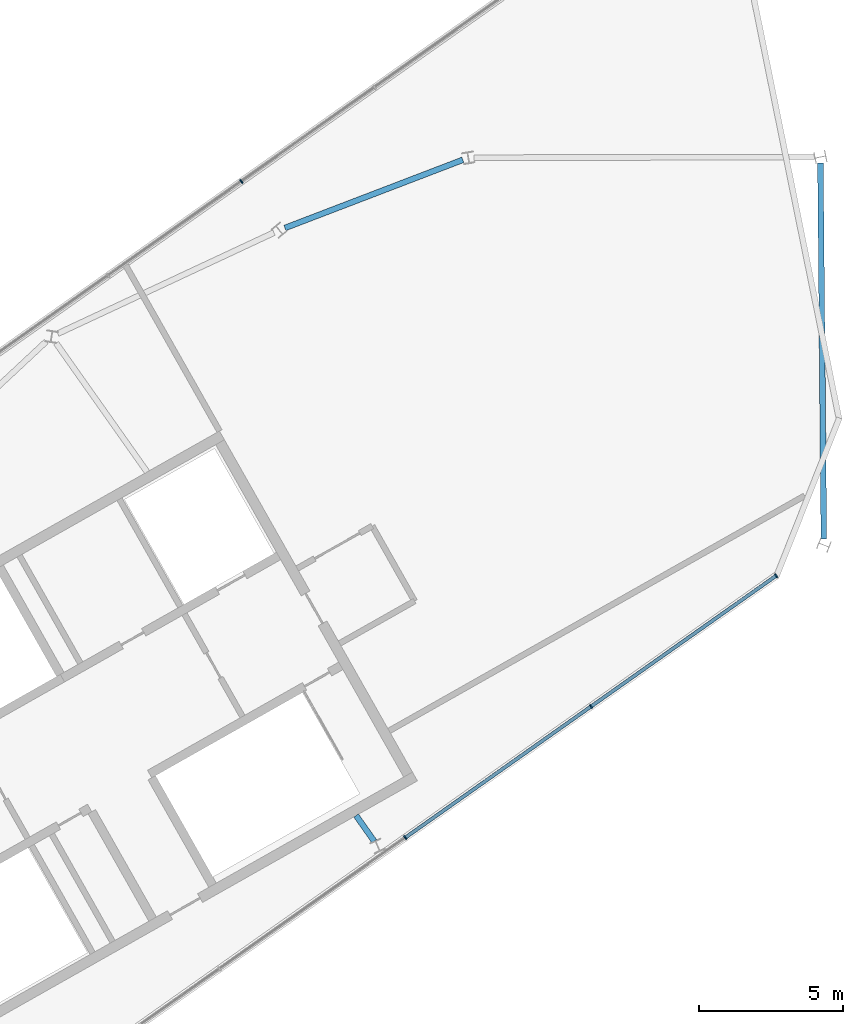
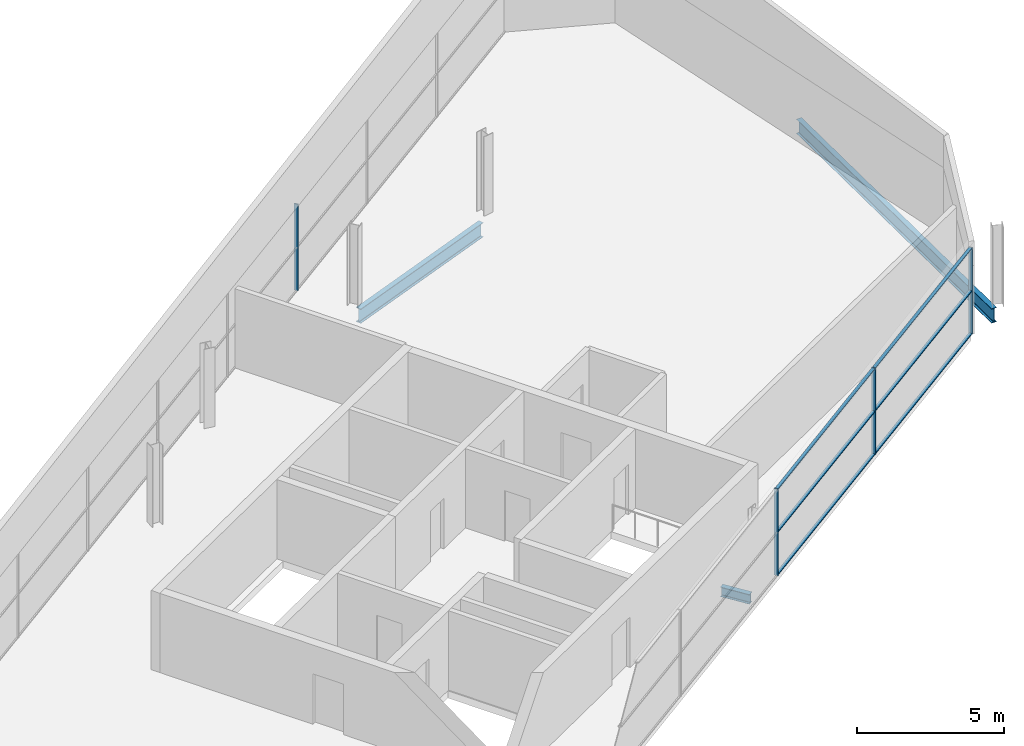
# One storey, part 6 of 10: 10 members, 3 beams, 2 elements without a shape of their own.
"""IFC4 building model written with IfcOpenShell, lengths in metres."""

from ifc_helpers import new_model, si_unit, direction, frame, origin, origin_2d, place, context, subcontext, project, spatial, rectangle, i_section, extrude, material, material_profile, profile_set, type_object, element, aggregate, save


model = new_model("IFC4")

# Units and contexts
model_context = context("Model", 3, precision=1e-05, world=origin(), true_north=direction((0.0, 1.0)))
body_context = subcontext(model_context, "Body", "Model", "MODEL_VIEW")
ifc_project = project(units=[si_unit("LENGTHUNIT", "METRE"), si_unit("AREAUNIT", "SQUARE_METRE"), si_unit("VOLUMEUNIT", "CUBIC_METRE"), si_unit("PLANEANGLEUNIT", "RADIAN"), si_unit("MASSUNIT", "GRAM", prefix="KILO")], contexts=[model_context])

# Site, building, storey
site_placement = place(None, origin())
site = spatial("IfcSite", under=ifc_project, at=site_placement, CompositionType="ELEMENT")
building_placement = place(site_placement, origin())
building = spatial("IfcBuilding", under=site, at=building_placement, Name="Binnacle Exchange Tower", CompositionType="ELEMENT")
storey_placement = place(building_placement, frame((0.0, 0.0, 368.5)))
storey = spatial("IfcBuildingStorey", under=building, at=storey_placement, Name="L85", CompositionType="ELEMENT", Elevation=368.5)

# Curtain wall, member
ifc_material_1 = material(Name="Bronze anodised aluminium frame", Category="aluminium")
curtain_wall_type = type_object("IfcCurtainWallType", Name="External wall - curtain wall crown top", PredefinedType="NOTDEFINED", material=ifc_material_1)
curtain_wall_1_placement = place(storey_placement, origin())
curtain_wall_1 = element("IfcCurtainWall", 1, at=curtain_wall_1_placement, inside=storey, type_object=curtain_wall_type, Name="External wall curtain wall CW6-C303 L85", PredefinedType="NOTDEFINED")
ifc_material_profile_1 = material_profile(ifc_material_1, rectangle(XDim=0.14990234375, YDim=0.050048828125, at=origin_2d()), Name="AL 50x150")
ifc_profile_set_1 = profile_set([ifc_material_profile_1], Name="Bronze anodised aluminium frame")
member_type_1 = type_object("IfcMemberType", Name="CW6 MULLION 50x150", PredefinedType="MULLION", material=ifc_profile_set_1)
member_1_placement = place(storey_placement, frame((-31.05078125, 58.73828125, 0.0), z_axis=(0.0, 0.0, 1.0), x_axis=(0.576854127285, -0.816847180221, 0.0)))
member_1 = element("IfcMember", 2, at=member_1_placement, type_object=member_type_1, Name="CW6-C303 mullion 4", PredefinedType="MULLION", context=body_context, shape_type="SweptSolid", body=[
    extrude(rectangle(XDim=0.14990234375, YDim=0.050048828125, at=origin_2d()), origin(), (0.0, 0.0, 1.0), 3.60009765625),
])
aggregate(curtain_wall_1, [member_1])

# Curtain wall, members
curtain_wall_2_placement = place(storey_placement, origin())
curtain_wall_2 = element("IfcCurtainWall", 3, at=curtain_wall_2_placement, inside=storey, type_object=curtain_wall_type, Name="External wall curtain wall CW6-C307 L85", PredefinedType="NOTDEFINED")
member_2_placement = place(storey_placement, frame((-25.340087890625, 35.882568359375, 0.0), z_axis=(0.0, 0.0, 1.0), x_axis=(-0.576854127285, 0.816847180221, 0.0)))
member_2 = element("IfcMember", 4, at=member_2_placement, type_object=member_type_1, Name="CW6-C307 mullion 3", PredefinedType="MULLION", context=body_context, shape_type="SweptSolid", body=[
    extrude(rectangle(XDim=0.14990234375, YDim=0.050048828125, at=origin_2d()), origin(), (0.0, 0.0, 1.0), 3.60009765625),
])
member_3_placement = place(storey_placement, frame((-18.87109375, 40.450927734375, 0.0), z_axis=(0.0, 0.0, 1.0), x_axis=(-0.576854127285, 0.816847180221, 0.0)))
member_3 = element("IfcMember", 5, at=member_3_placement, type_object=member_type_1, Name="CW6-C307 mullion 4", PredefinedType="MULLION", context=body_context, shape_type="SweptSolid", body=[
    extrude(rectangle(XDim=0.14990234375, YDim=0.050048828125, at=origin_2d()), origin(), (0.0, 0.0, 1.0), 3.60009765625),
])
member_4_placement = place(storey_placement, frame((-12.422607421875, 45.0048828125, 0.0), z_axis=(0.0, 0.0, 1.0), x_axis=(-0.576854127285, 0.816847180221, 0.0)))
member_4 = element("IfcMember", 6, at=member_4_placement, type_object=member_type_1, Name="CW6-C307 mullion 5", PredefinedType="MULLION", context=body_context, shape_type="SweptSolid", body=[
    extrude(rectangle(XDim=0.14990234375, YDim=0.050048828125, at=origin_2d()), origin(), (0.0, 0.0, 1.0), 3.60009765625),
])
ifc_material_profile_2 = material_profile(ifc_material_1, rectangle(XDim=0.1201171875, YDim=0.0400390625, at=origin_2d()), Name="AL 120x40")
ifc_profile_set_2 = profile_set([ifc_material_profile_2], Name="Bronze anodised aluminium frame")
member_type_2 = type_object("IfcMemberType", Name="CW6 TRANSOM 40x120", PredefinedType="USERDEFINED", material=ifc_profile_set_2)
member_5_placement = place(storey_placement, frame((-25.319580078125, 35.89697265625, 0.02001953125), z_axis=(0.816838873446, 0.576865889812, 0.0), x_axis=(-0.576865889812, 0.816838873446, 0.0)))
member_5 = element("IfcMember", 7, at=member_5_placement, type_object=member_type_2, Name="CW6-C307 transom 3.1", ObjectType="TRANSOM", PredefinedType="USERDEFINED", context=body_context, shape_type="SweptSolid", body=[
    extrude(rectangle(XDim=0.1201171875, YDim=0.0400390625, at=origin_2d()), origin(), (0.0, 0.0, 1.0), 7.869384765625),
])
member_6_placement = place(storey_placement, frame((-25.319580078125, 35.89697265625, 1.800048828125), z_axis=(0.816838873446, 0.576865889812, 0.0), x_axis=(-0.576865889812, 0.816838873446, 0.0)))
member_6 = element("IfcMember", 8, at=member_6_placement, type_object=member_type_2, Name="CW6-C307 transom 3.2", ObjectType="TRANSOM", PredefinedType="USERDEFINED", context=body_context, shape_type="SweptSolid", body=[
    extrude(rectangle(XDim=0.1201171875, YDim=0.0400390625, at=origin_2d()), origin(), (0.0, 0.0, 1.0), 7.869384765625),
])
member_7_placement = place(storey_placement, frame((-25.319580078125, 35.89697265625, 3.580078125), z_axis=(0.816838873446, 0.576865889812, 0.0), x_axis=(-0.576865889812, 0.816838873446, 0.0)))
member_7 = element("IfcMember", 9, at=member_7_placement, type_object=member_type_2, Name="CW6-C307 transom 3.3", ObjectType="TRANSOM", PredefinedType="USERDEFINED", context=body_context, shape_type="SweptSolid", body=[
    extrude(rectangle(XDim=0.1201171875, YDim=0.0400390625, at=origin_2d()), origin(), (0.0, 0.0, 1.0), 7.869384765625),
])
member_8_placement = place(storey_placement, frame((-18.850830078125, 40.46533203125, 0.02001953125), z_axis=(0.816844504093, 0.576857916763, 0.0), x_axis=(-0.576857916763, 0.816844504093, 0.0)))
member_8 = element("IfcMember", 10, at=member_8_placement, type_object=member_type_2, Name="CW6-C307 transom 4.1", ObjectType="TRANSOM", PredefinedType="USERDEFINED", context=body_context, shape_type="SweptSolid", body=[
    extrude(rectangle(XDim=0.1201171875, YDim=0.0400390625, at=origin_2d()), origin(), (0.0, 0.0, 1.0), 7.844482421875),
])
member_9_placement = place(storey_placement, frame((-18.850830078125, 40.46533203125, 1.800048828125), z_axis=(0.816844504093, 0.576857916763, 0.0), x_axis=(-0.576857916763, 0.816844504093, 0.0)))
member_9 = element("IfcMember", 11, at=member_9_placement, type_object=member_type_2, Name="CW6-C307 transom 4.2", ObjectType="TRANSOM", PredefinedType="USERDEFINED", context=body_context, shape_type="SweptSolid", body=[
    extrude(rectangle(XDim=0.1201171875, YDim=0.0400390625, at=origin_2d()), origin(), (0.0, 0.0, 1.0), 7.844482421875),
])
member_10_placement = place(storey_placement, frame((-18.850830078125, 40.46533203125, 3.580078125), z_axis=(0.816844504093, 0.576857916763, 0.0), x_axis=(-0.576857916763, 0.816844504093, 0.0)))
member_10 = element("IfcMember", 12, at=member_10_placement, type_object=member_type_2, Name="CW6-C307 transom 4.3", ObjectType="TRANSOM", PredefinedType="USERDEFINED", context=body_context, shape_type="SweptSolid", body=[
    extrude(rectangle(XDim=0.1201171875, YDim=0.0400390625, at=origin_2d()), origin(), (0.0, 0.0, 1.0), 7.844482421875),
])
aggregate(curtain_wall_2, [member_2, member_3, member_4, member_5, member_6, member_7, member_8, member_9, member_10])

# Beams
ifc_material_2 = material(Name="Steel S355 (SHN355)", Category="steel")
ifc_material_profile_3 = material_profile(ifc_material_2, i_section(OverallWidth=0.199951171875, OverallDepth=0.60009765625, WebThickness=0.010986328125, FlangeThickness=0.01708984375, FilletRadius=0.02197265625, at=origin_2d()), Name="H 600x200x11x17")
ifc_profile_set_3 = profile_set([ifc_material_profile_3], Name="Steel S355 (SHN355)")
beam_type_1 = type_object("IfcBeamType", Name="Edge girder H 600x200x11x17 Steel S355 (SHN355)", PredefinedType="SPANDREL", material=ifc_profile_set_3)
beam_1_placement = place(storey_placement, frame((-10.76220703125, 46.28662109375, -0.60009765625), z_axis=(-0.009040716184, 0.99995913189, 0.0), x_axis=(-0.99995913189, -0.009040716184, 0.0)))
element("IfcBeam", 13, at=beam_1_placement, inside=storey, type_object=beam_type_1, Name="S:BM:edge:L85:010", PredefinedType="SPANDREL", context=body_context, shape_type="SweptSolid", body=[
    extrude(i_section(OverallWidth=0.199951171875, OverallDepth=0.60009765625, WebThickness=0.010986328125, FlangeThickness=0.01708984375, FilletRadius=0.02197265625, at=origin_2d()), origin(), (0.0, 0.0, 1.0), 13.09716796875),
])
ifc_material_profile_4 = material_profile(ifc_material_2, i_section(OverallWidth=0.199951171875, OverallDepth=0.39990234375, WebThickness=0.008056640625, FlangeThickness=0.012939453125, FilletRadius=0.01611328125, at=origin_2d()), Name="H 400x200x8x13")
ifc_profile_set_4 = profile_set([ifc_material_profile_4], Name="Steel S355 (SHN355)")
beam_type_2 = type_object("IfcBeamType", Name="Floor beam H 400x200x8x13 Steel S355 (SHN355)", PredefinedType="BEAM", material=ifc_profile_set_4)
beam_2_placement = place(storey_placement, frame((-26.422607421875, 35.757568359375, -0.5), z_axis=(-0.57675330041, 0.81691837442, 0.0), x_axis=(-0.81691837442, -0.57675330041, 0.0)))
element("IfcBeam", 14, at=beam_2_placement, inside=storey, type_object=beam_type_2, Name="S:BM:cross:L85:015", PredefinedType="BEAM", context=body_context, shape_type="SweptSolid", body=[
    extrude(i_section(OverallWidth=0.199951171875, OverallDepth=0.39990234375, WebThickness=0.008056640625, FlangeThickness=0.012939453125, FilletRadius=0.01611328125, at=origin_2d()), origin(), (0.0, 0.0, 1.0), 1.09375),
])
ifc_material_profile_5 = material_profile(ifc_material_2, i_section(OverallWidth=0.199951171875, OverallDepth=0.60009765625, WebThickness=0.010986328125, FlangeThickness=0.01708984375, FilletRadius=0.02197265625, at=origin_2d()), Name="H 600x200x11x17")
ifc_profile_set_5 = profile_set([ifc_material_profile_5], Name="Steel S355 (SHN355)")
beam_type_3 = type_object("IfcBeamType", Name="Spine girder H 600x200x11x17 Steel S355 (SHN355)", PredefinedType="BEAM", material=ifc_profile_set_5)
beam_3_placement = place(storey_placement, frame((-23.3359375, 59.490478515625, -0.60009765625), z_axis=(-0.933819880573, -0.357743526352, 0.0), x_axis=(0.357743526352, -0.933819880573, 0.0)))
element("IfcBeam", 15, at=beam_3_placement, inside=storey, type_object=beam_type_3, Name="S:BM:spine:L85:002", PredefinedType="BEAM", context=body_context, shape_type="SweptSolid", body=[
    extrude(i_section(OverallWidth=0.199951171875, OverallDepth=0.60009765625, WebThickness=0.010986328125, FlangeThickness=0.01708984375, FilletRadius=0.02197265625, at=origin_2d()), origin(), (0.0, 0.0, 1.0), 6.635498046875),
])

save(model, "model.ifc")
